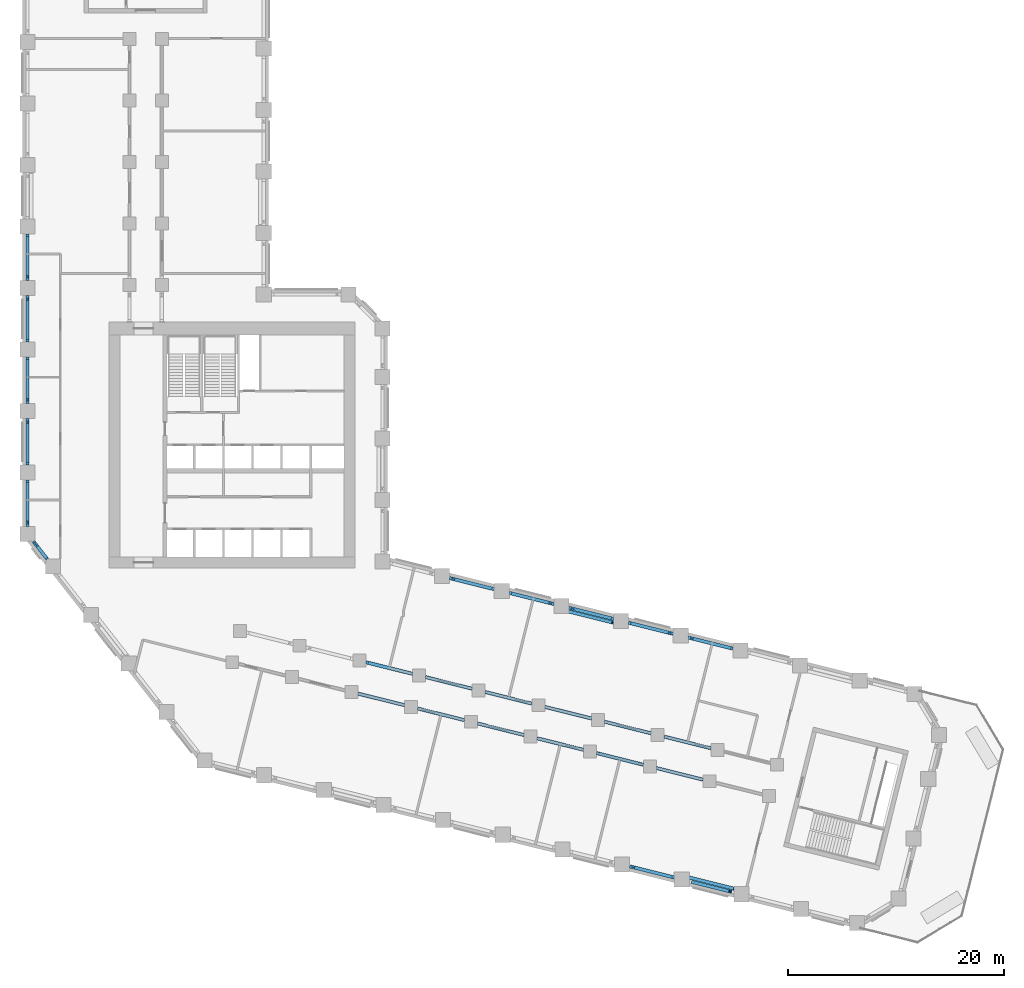
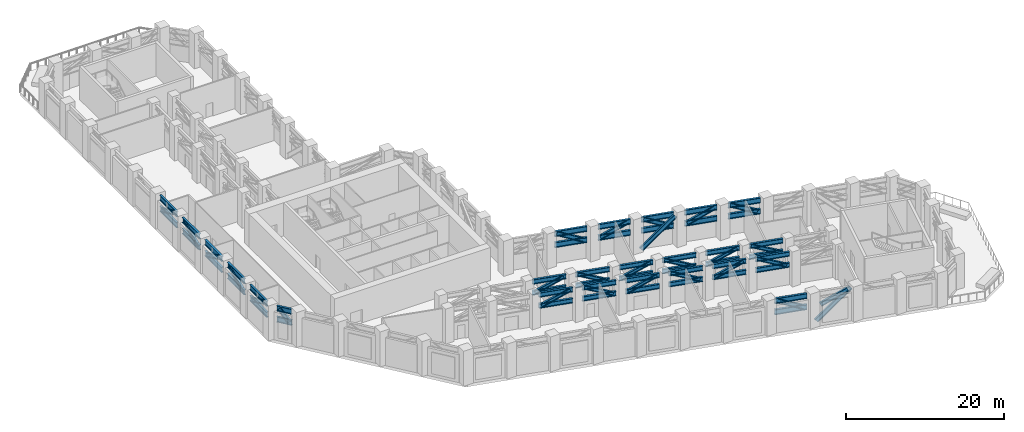
# One storey, part 2 of 14: 48 beams, 27 members.
"""IFC4 building model written with IfcOpenShell, lengths in metres."""

from ifc_helpers import new_model, si_unit, direction, frame, origin, origin_2d, place, context, subcontext, project, spatial, i_section, extrude, material, material_profile, profile_set, type_object, element, save


model = new_model("IFC4")

# Units and contexts
model_context = context("Model", 3, precision=1e-05, world=origin(), true_north=direction((0.0, 1.0)))
body_context = subcontext(model_context, "Body", "Model", "MODEL_VIEW")
ifc_project = project(units=[si_unit("LENGTHUNIT", "METRE"), si_unit("AREAUNIT", "SQUARE_METRE"), si_unit("VOLUMEUNIT", "CUBIC_METRE"), si_unit("PLANEANGLEUNIT", "RADIAN"), si_unit("MASSUNIT", "GRAM", prefix="KILO")], contexts=[model_context])

# Site, building, storey
site_placement = place(None, origin())
site = spatial("IfcSite", under=ifc_project, at=site_placement, CompositionType="ELEMENT")
building_placement = place(site_placement, origin())
building = spatial("IfcBuilding", under=site, at=building_placement, Name="Meshkara Civic Tower", CompositionType="ELEMENT")
storey_placement = place(building_placement, frame((0.0, 0.0, 91.800048828125)))
storey = spatial("IfcBuildingStorey", under=building, at=storey_placement, Name="L20", CompositionType="ELEMENT", Elevation=91.800048828125)

# Beams
ifc_material_1 = material(Name="Steel S355", Category="steel")
ifc_material_profile_1 = material_profile(ifc_material_1, i_section(OverallWidth=0.302978515625, OverallDepth=0.81396484375, WebThickness=0.02099609375, FlangeThickness=0.0400390625, FilletRadius=0.030029296875, at=origin_2d()))
ifc_profile_set_1 = profile_set([ifc_material_profile_1], Name="Steel S355")
beam_type_1 = type_object("IfcBeamType", Name="Belt truss chord HEM 800 S355", PredefinedType="BEAM", material=ifc_profile_set_1)
for number, where, z_axis, x_axis, name in (
    (1, (65.8388671875, 6.618408203125, 4.69287109375), (-0.970307169965, 0.241875992843, 0.0), (-0.241875992843, -0.970307169965, 0.0), "Belt truss chord BBN06-BN05"),
    (2, (65.8388671875, 6.618408203125, 2.992919921875), (-0.970307169965, 0.241875992843, 0.0), (-0.241875992843, -0.970307169965, 0.0), "Belt truss chord BBN06-BN05"),
):
    element("IfcBeam", number, at=place(storey_placement, frame(where, z_axis=z_axis, x_axis=x_axis)), inside=storey, type_object=beam_type_1, Name=name, PredefinedType="BEAM", context=body_context, shape_type="SweptSolid", body=[
        extrude(i_section(OverallWidth=0.302978515625, OverallDepth=0.81396484375, WebThickness=0.02099609375, FlangeThickness=0.0400390625, FilletRadius=0.030029296875, at=origin_2d()), origin(), (0.0, 0.0, 1.0), 4.267578125),
    ])
for number, where, z_axis, x_axis, name in (
    (3, (60.307861328125, 7.997314453125, 4.69287109375), (-0.970276993533, 0.241997016139, 0.0), (-0.241997016139, -0.970276993533, 0.0), "Belt truss chord BBN05-BN04"),
    (4, (60.307861328125, 7.997314453125, 2.992919921875), (-0.970276993533, 0.241997016139, 0.0), (-0.241997016139, -0.970276993533, 0.0), "Belt truss chord BBN05-BN04"),
):
    element("IfcBeam", number, at=place(storey_placement, frame(where, z_axis=z_axis, x_axis=x_axis)), inside=storey, type_object=beam_type_1, Name=name, PredefinedType="BEAM", context=body_context, shape_type="SweptSolid", body=[
        extrude(i_section(OverallWidth=0.302978515625, OverallDepth=0.81396484375, WebThickness=0.02099609375, FlangeThickness=0.0400390625, FilletRadius=0.030029296875, at=origin_2d()), origin(), (0.0, 0.0, 1.0), 4.266357421875),
    ])
for number, where, z_axis, x_axis, name in (
    (5, (54.77783203125, 9.376220703125, 4.69287109375), (-0.970290393622, 0.241943282702, 0.0), (-0.241943282702, -0.970290393622, 0.0), "Belt truss chord BBN04-BN03"),
    (6, (54.77783203125, 9.376220703125, 2.992919921875), (-0.970290393622, 0.241943282702, 0.0), (-0.241943282702, -0.970290393622, 0.0), "Belt truss chord BBN04-BN03"),
    (7, (49.246826171875, 10.75537109375, 4.69287109375), (-0.970303822782, 0.241889419972, 0.0), (-0.241889419972, -0.970303822782, 0.0), "Belt truss chord BBN03-BN02"),
    (8, (49.246826171875, 10.75537109375, 2.992919921875), (-0.970303822782, 0.241889419972, 0.0), (-0.241889419972, -0.970303822782, 0.0), "Belt truss chord BBN03-BN02"),
):
    element("IfcBeam", number, at=place(storey_placement, frame(where, z_axis=z_axis, x_axis=x_axis)), inside=storey, type_object=beam_type_1, Name=name, PredefinedType="BEAM", context=body_context, shape_type="SweptSolid", body=[
        extrude(i_section(OverallWidth=0.302978515625, OverallDepth=0.81396484375, WebThickness=0.02099609375, FlangeThickness=0.0400390625, FilletRadius=0.030029296875, at=origin_2d()), origin(), (0.0, 0.0, 1.0), 4.267333984375),
    ])
for number, where, z_axis, x_axis, name in (
    (9, (43.7158203125, 12.13427734375, 4.69287109375), (-0.970276993533, 0.241997016139, 0.0), (-0.241997016139, -0.970276993533, 0.0), "Belt truss chord BBN02-BN01"),
    (10, (43.7158203125, 12.13427734375, 2.992919921875), (-0.970276993533, 0.241997016139, 0.0), (-0.241997016139, -0.970276993533, 0.0), "Belt truss chord BBN02-BN01"),
):
    element("IfcBeam", number, at=place(storey_placement, frame(where, z_axis=z_axis, x_axis=x_axis)), inside=storey, type_object=beam_type_1, Name=name, PredefinedType="BEAM", context=body_context, shape_type="SweptSolid", body=[
        extrude(i_section(OverallWidth=0.302978515625, OverallDepth=0.81396484375, WebThickness=0.02099609375, FlangeThickness=0.0400390625, FilletRadius=0.030029296875, at=origin_2d()), origin(), (0.0, 0.0, 1.0), 4.266357421875),
    ])
for number, where, z_axis, x_axis, name in (
    (11, (0.449951171875, 45.06005859375, 4.69287109375), (0.0, -1.0, 0.0), (1.0, 0.0, 0.0), "Belt truss chord BAW05-AW04"),
    (12, (0.449951171875, 45.06005859375, 2.992919921875), (0.0, -1.0, 0.0), (1.0, 0.0, 0.0), "Belt truss chord BAW05-AW04"),
    (13, (0.449951171875, 39.360107421875, 4.69287109375), (0.0, -1.0, 0.0), (1.0, 0.0, 0.0), "Belt truss chord BAW04-AW03"),
    (14, (0.449951171875, 39.360107421875, 2.992919921875), (0.0, -1.0, 0.0), (1.0, 0.0, 0.0), "Belt truss chord BAW04-AW03"),
):
    element("IfcBeam", number, at=place(storey_placement, frame(where, z_axis=z_axis, x_axis=x_axis)), inside=storey, type_object=beam_type_1, Name=name, PredefinedType="BEAM", context=body_context, shape_type="SweptSolid", body=[
        extrude(i_section(OverallWidth=0.302978515625, OverallDepth=0.81396484375, WebThickness=0.02099609375, FlangeThickness=0.0400390625, FilletRadius=0.030029296875, at=origin_2d()), origin(), (0.0, 0.0, 1.0), 4.31005859375),
    ])
for number, where, z_axis, x_axis, name in (
    (15, (0.449951171875, 33.659912109375, 4.69287109375), (0.0, -1.0, 0.0), (1.0, 0.0, 0.0), "Belt truss chord BAW03-AW02"),
    (16, (0.449951171875, 33.659912109375, 2.992919921875), (0.0, -1.0, 0.0), (1.0, 0.0, 0.0), "Belt truss chord BAW03-AW02"),
):
    element("IfcBeam", number, at=place(storey_placement, frame(where, z_axis=z_axis, x_axis=x_axis)), inside=storey, type_object=beam_type_1, Name=name, PredefinedType="BEAM", context=body_context, shape_type="SweptSolid", body=[
        extrude(i_section(OverallWidth=0.302978515625, OverallDepth=0.81396484375, WebThickness=0.02099609375, FlangeThickness=0.0400390625, FilletRadius=0.030029296875, at=origin_2d()), origin(), (0.0, 0.0, 1.0), 4.309814453125),
    ])
for number, where, z_axis, x_axis, name in (
    (17, (0.449951171875, 27.9599609375, 4.69287109375), (0.0, -1.0, 0.0), (1.0, 0.0, 0.0), "Belt truss chord BAW02-AW01"),
    (18, (0.449951171875, 27.9599609375, 2.992919921875), (0.0, -1.0, 0.0), (1.0, 0.0, 0.0), "Belt truss chord BAW02-AW01"),
    (19, (0.449951171875, 22.260009765625, 4.69287109375), (0.0, -1.0, 0.0), (1.0, 0.0, 0.0), "Belt truss chord BAW01-AW00"),
    (20, (0.449951171875, 22.260009765625, 2.992919921875), (0.0, -1.0, 0.0), (1.0, 0.0, 0.0), "Belt truss chord BAW01-AW00"),
):
    element("IfcBeam", number, at=place(storey_placement, frame(where, z_axis=z_axis, x_axis=x_axis)), inside=storey, type_object=beam_type_1, Name=name, PredefinedType="BEAM", context=body_context, shape_type="SweptSolid", body=[
        extrude(i_section(OverallWidth=0.302978515625, OverallDepth=0.81396484375, WebThickness=0.02099609375, FlangeThickness=0.0400390625, FilletRadius=0.030029296875, at=origin_2d()), origin(), (0.0, 0.0, 1.0), 4.31005859375),
    ])
for number, where, z_axis, x_axis, name in (
    (21, (0.993896484375, 16.558837890625, 4.69287109375), (0.615634901283, -0.788031514803, 0.0), (0.788031514803, 0.615634901283, 0.0), "Belt truss chord BAW00-BOW04"),
    (22, (0.993896484375, 16.558837890625, 2.992919921875), (0.615634901283, -0.788031514803, 0.0), (0.788031514803, 0.615634901283, 0.0), "Belt truss chord BAW00-BOW04"),
):
    element("IfcBeam", number, at=place(storey_placement, frame(where, z_axis=z_axis, x_axis=x_axis)), inside=storey, type_object=beam_type_1, Name=name, PredefinedType="BEAM", context=body_context, shape_type="SweptSolid", body=[
        extrude(i_section(OverallWidth=0.302978515625, OverallDepth=0.81396484375, WebThickness=0.02099609375, FlangeThickness=0.0400390625, FilletRadius=0.030029296875, at=origin_2d()), origin(), (0.0, 0.0, 1.0), 2.0732421875),
    ])
for number, where, z_axis, x_axis, name in (
    (23, (56.260986328125, -13.563232421875, 4.69287109375), (0.97029374225, -0.241929852955, 0.0), (0.241929852955, 0.97029374225, 0.0), "Belt truss chord BBS07-BS08"),
    (24, (56.260986328125, -13.563232421875, 2.992919921875), (0.97029374225, -0.241929852955, 0.0), (0.241929852955, 0.97029374225, 0.0), "Belt truss chord BBS07-BS08"),
):
    element("IfcBeam", number, at=place(storey_placement, frame(where, z_axis=z_axis, x_axis=x_axis)), inside=storey, type_object=beam_type_1, Name=name, PredefinedType="BEAM", context=body_context, shape_type="SweptSolid", body=[
        extrude(i_section(OverallWidth=0.302978515625, OverallDepth=0.81396484375, WebThickness=0.02099609375, FlangeThickness=0.0400390625, FilletRadius=0.030029296875, at=origin_2d()), origin(), (0.0, 0.0, 1.0), 4.267578125),
    ])
ifc_material_2 = material(Name="Steel S355", Category="steel")
ifc_material_profile_2 = material_profile(ifc_material_2, i_section(OverallWidth=0.303955078125, OverallDepth=0.716064453125, WebThickness=0.02099609375, FlangeThickness=0.0400390625, FilletRadius=0.027099609375, at=origin_2d()))
ifc_profile_set_2 = profile_set([ifc_material_profile_2], Name="Steel S355")
beam_type_2 = type_object("IfcBeamType", Name="Outrigger chord HEM 700 S355", PredefinedType="BEAM", material=ifc_profile_set_2)
for number, where, z_axis, x_axis, name in (
    (25, (31.080078125, 2.45361328125, 4.741943359375), (0.970296390995, -0.241919229543, 0.0), (0.241919229543, 0.970296390995, 0.0), "Outrigger chord OSB1-SB1-02-SB1-03"),
    (26, (31.080078125, 2.45361328125, 3.0419921875), (0.970296390995, -0.241919229543, 0.0), (0.241919229543, 0.970296390995, 0.0), "Outrigger chord OSB1-SB1-02-SB1-03"),
):
    element("IfcBeam", number, at=place(storey_placement, frame(where, z_axis=z_axis, x_axis=x_axis)), inside=storey, type_object=beam_type_2, Name=name, PredefinedType="BEAM", context=body_context, shape_type="SweptSolid", body=[
        extrude(i_section(OverallWidth=0.303955078125, OverallDepth=0.716064453125, WebThickness=0.02099609375, FlangeThickness=0.0400390625, FilletRadius=0.027099609375, at=origin_2d()), origin(), (0.0, 0.0, 1.0), 4.4736328125),
    ])
for number, where, z_axis, x_axis, name in (
    (27, (36.611083984375, 1.07470703125, 4.741943359375), (0.970283611566, -0.241970479865, 0.0), (0.241970479865, 0.970283611566, 0.0), "Outrigger chord OSB1-SB1-03-SB1-04"),
    (28, (36.611083984375, 1.07470703125, 3.0419921875), (0.970283611566, -0.241970479865, 0.0), (0.241970479865, 0.970283611566, 0.0), "Outrigger chord OSB1-SB1-03-SB1-04"),
):
    element("IfcBeam", number, at=place(storey_placement, frame(where, z_axis=z_axis, x_axis=x_axis)), inside=storey, type_object=beam_type_2, Name=name, PredefinedType="BEAM", context=body_context, shape_type="SweptSolid", body=[
        extrude(i_section(OverallWidth=0.303955078125, OverallDepth=0.716064453125, WebThickness=0.02099609375, FlangeThickness=0.0400390625, FilletRadius=0.027099609375, at=origin_2d()), origin(), (0.0, 0.0, 1.0), 4.47265625),
    ])
for number, where, z_axis, x_axis, name in (
    (29, (42.14111328125, -0.304443359375, 4.741943359375), (0.970296390995, -0.241919229543, 0.0), (0.241919229543, 0.970296390995, 0.0), "Outrigger chord OSB1-SB1-04-SB1-05"),
    (30, (42.14111328125, -0.304443359375, 3.0419921875), (0.970296390995, -0.241919229543, 0.0), (0.241919229543, 0.970296390995, 0.0), "Outrigger chord OSB1-SB1-04-SB1-05"),
    (31, (47.672119140625, -1.683349609375, 4.741943359375), (0.970296390995, -0.241919229543, 0.0), (0.241919229543, 0.970296390995, 0.0), "Outrigger chord OSB1-SB1-05-SB1-06"),
    (32, (47.672119140625, -1.683349609375, 3.0419921875), (0.970296390995, -0.241919229543, 0.0), (0.241919229543, 0.970296390995, 0.0), "Outrigger chord OSB1-SB1-05-SB1-06"),
    (33, (53.203125, -3.062255859375, 4.741943359375), (0.970334810126, -0.241765084863, 0.0), (0.241765084863, 0.970334810126, 0.0), "Outrigger chord OSB1-SB1-06-SB1-07"),
    (34, (53.203125, -3.062255859375, 3.0419921875), (0.970334810126, -0.241765084863, 0.0), (0.241765084863, 0.970334810126, 0.0), "Outrigger chord OSB1-SB1-06-SB1-07"),
):
    element("IfcBeam", number, at=place(storey_placement, frame(where, z_axis=z_axis, x_axis=x_axis)), inside=storey, type_object=beam_type_2, Name=name, PredefinedType="BEAM", context=body_context, shape_type="SweptSolid", body=[
        extrude(i_section(OverallWidth=0.303955078125, OverallDepth=0.716064453125, WebThickness=0.02099609375, FlangeThickness=0.0400390625, FilletRadius=0.027099609375, at=origin_2d()), origin(), (0.0, 0.0, 1.0), 4.4736328125),
    ])
for number, where, z_axis, x_axis, name in (
    (35, (58.734130859375, -4.4404296875, 4.741943359375), (0.970283611566, -0.241970479865, 0.0), (0.241970479865, 0.970283611566, 0.0), "Outrigger chord OSB1-SB1-07-SB1-08"),
    (36, (58.734130859375, -4.4404296875, 3.0419921875), (0.970283611566, -0.241970479865, 0.0), (0.241970479865, 0.970283611566, 0.0), "Outrigger chord OSB1-SB1-07-SB1-08"),
):
    element("IfcBeam", number, at=place(storey_placement, frame(where, z_axis=z_axis, x_axis=x_axis)), inside=storey, type_object=beam_type_2, Name=name, PredefinedType="BEAM", context=body_context, shape_type="SweptSolid", body=[
        extrude(i_section(OverallWidth=0.303955078125, OverallDepth=0.716064453125, WebThickness=0.02099609375, FlangeThickness=0.0400390625, FilletRadius=0.027099609375, at=origin_2d()), origin(), (0.0, 0.0, 1.0), 4.47265625),
    ])
for number, where, z_axis, x_axis, name in (
    (37, (31.80615234375, 5.364501953125, 4.741943359375), (0.970309199754, -0.241867850018, 0.0), (0.241867850018, 0.970309199754, 0.0), "Outrigger chord OSB2-SB2-02-SB2-03"),
    (38, (31.80615234375, 5.364501953125, 3.0419921875), (0.970309199754, -0.241867850018, 0.0), (0.241867850018, 0.970309199754, 0.0), "Outrigger chord OSB2-SB2-02-SB2-03"),
):
    element("IfcBeam", number, at=place(storey_placement, frame(where, z_axis=z_axis, x_axis=x_axis)), inside=storey, type_object=beam_type_2, Name=name, PredefinedType="BEAM", context=body_context, shape_type="SweptSolid", body=[
        extrude(i_section(OverallWidth=0.303955078125, OverallDepth=0.716064453125, WebThickness=0.02099609375, FlangeThickness=0.0400390625, FilletRadius=0.027099609375, at=origin_2d()), origin(), (0.0, 0.0, 1.0), 4.4736328125),
    ])
for number, where, z_axis, x_axis, name in (
    (39, (37.337158203125, 3.985595703125, 4.741943359375), (0.970283611566, -0.241970479865, 0.0), (0.241970479865, 0.970283611566, 0.0), "Outrigger chord OSB2-SB2-03-SB2-04"),
    (40, (37.337158203125, 3.985595703125, 3.0419921875), (0.970283611566, -0.241970479865, 0.0), (0.241970479865, 0.970283611566, 0.0), "Outrigger chord OSB2-SB2-03-SB2-04"),
):
    element("IfcBeam", number, at=place(storey_placement, frame(where, z_axis=z_axis, x_axis=x_axis)), inside=storey, type_object=beam_type_2, Name=name, PredefinedType="BEAM", context=body_context, shape_type="SweptSolid", body=[
        extrude(i_section(OverallWidth=0.303955078125, OverallDepth=0.716064453125, WebThickness=0.02099609375, FlangeThickness=0.0400390625, FilletRadius=0.027099609375, at=origin_2d()), origin(), (0.0, 0.0, 1.0), 4.47265625),
    ])
for number, where, z_axis, x_axis, name in (
    (41, (42.8671875, 2.606689453125, 4.741943359375), (0.970296390995, -0.241919229543, 0.0), (0.241919229543, 0.970296390995, 0.0), "Outrigger chord OSB2-SB2-04-SB2-05"),
    (42, (42.8671875, 2.606689453125, 3.0419921875), (0.970296390995, -0.241919229543, 0.0), (0.241919229543, 0.970296390995, 0.0), "Outrigger chord OSB2-SB2-04-SB2-05"),
    (43, (48.398193359375, 1.2275390625, 4.741943359375), (0.970309199754, -0.241867850018, 0.0), (0.241867850018, 0.970309199754, 0.0), "Outrigger chord OSB2-SB2-05-SB2-06"),
    (44, (48.398193359375, 1.2275390625, 3.0419921875), (0.970309199754, -0.241867850018, 0.0), (0.241867850018, 0.970309199754, 0.0), "Outrigger chord OSB2-SB2-05-SB2-06"),
):
    element("IfcBeam", number, at=place(storey_placement, frame(where, z_axis=z_axis, x_axis=x_axis)), inside=storey, type_object=beam_type_2, Name=name, PredefinedType="BEAM", context=body_context, shape_type="SweptSolid", body=[
        extrude(i_section(OverallWidth=0.303955078125, OverallDepth=0.716064453125, WebThickness=0.02099609375, FlangeThickness=0.0400390625, FilletRadius=0.027099609375, at=origin_2d()), origin(), (0.0, 0.0, 1.0), 4.4736328125),
    ])
for number, where, z_axis, x_axis, name in (
    (45, (53.92919921875, -0.1513671875, 4.741943359375), (0.97028041544, -0.241983295733, 0.0), (0.241983295733, 0.97028041544, 0.0), "Outrigger chord OSB2-SB2-06-SB2-07"),
    (46, (53.92919921875, -0.1513671875, 3.0419921875), (0.97028041544, -0.241983295733, 0.0), (0.241983295733, 0.97028041544, 0.0), "Outrigger chord OSB2-SB2-06-SB2-07"),
):
    element("IfcBeam", number, at=place(storey_placement, frame(where, z_axis=z_axis, x_axis=x_axis)), inside=storey, type_object=beam_type_2, Name=name, PredefinedType="BEAM", context=body_context, shape_type="SweptSolid", body=[
        extrude(i_section(OverallWidth=0.303955078125, OverallDepth=0.716064453125, WebThickness=0.02099609375, FlangeThickness=0.0400390625, FilletRadius=0.027099609375, at=origin_2d()), origin(), (0.0, 0.0, 1.0), 4.472412109375),
    ])
for number, where, z_axis, x_axis, name in (
    (47, (59.458984375, -1.530517578125, 4.741943359375), (0.970309199754, -0.241867850018, 0.0), (0.241867850018, 0.970309199754, 0.0), "Outrigger chord OSB2-SB2-07-SB2-08"),
    (48, (59.458984375, -1.530517578125, 3.0419921875), (0.970309199754, -0.241867850018, 0.0), (0.241867850018, 0.970309199754, 0.0), "Outrigger chord OSB2-SB2-07-SB2-08"),
):
    element("IfcBeam", number, at=place(storey_placement, frame(where, z_axis=z_axis, x_axis=x_axis)), inside=storey, type_object=beam_type_2, Name=name, PredefinedType="BEAM", context=body_context, shape_type="SweptSolid", body=[
        extrude(i_section(OverallWidth=0.303955078125, OverallDepth=0.716064453125, WebThickness=0.02099609375, FlangeThickness=0.0400390625, FilletRadius=0.027099609375, at=origin_2d()), origin(), (0.0, 0.0, 1.0), 4.4736328125),
    ])

# Members
ifc_material_3 = material(Name="Steel S355", Category="steel")
ifc_material_profile_3 = material_profile(ifc_material_3, i_section(OverallWidth=0.305908203125, OverallDepth=0.52392578125, WebThickness=0.02392578125, FlangeThickness=0.0400390625, FilletRadius=0.027099609375, at=origin_2d()))
ifc_profile_set_3 = profile_set([ifc_material_profile_3], Name="Steel S355")
member_type_1 = type_object("IfcMemberType", Name="Truss diagonal HEM 500 S355", PredefinedType="BRACE", material=ifc_profile_set_3)
member_1_placement = place(storey_placement, frame((31.419921875, 2.368896484375, 3.0419921875), z_axis=(0.884669456815, -0.220562719146, 0.410745710996), x_axis=(0.241911414998, 0.970298339323, 0.0)))
element("IfcMember", 49, at=member_1_placement, inside=storey, type_object=member_type_1, Name="TD-OSB1-SB1-02-SB1-03-L20", PredefinedType="BRACE", context=body_context, shape_type="SweptSolid", body=[
    extrude(i_section(OverallWidth=0.305908203125, OverallDepth=0.52392578125, WebThickness=0.02392578125, FlangeThickness=0.0400390625, FilletRadius=0.027099609375, at=origin_2d()), origin(), (0.0, 0.0, 1.0), 4.138671875),
])
member_2_placement = place(storey_placement, frame((36.95068359375, 0.989990234375, 4.741943359375), z_axis=(0.884630981745, -0.220597254952, -0.410810025736), x_axis=(0.241956983323, 0.97028697725, 0.0)))
element("IfcMember", 50, at=member_2_placement, inside=storey, type_object=member_type_1, Name="TD-OSB1-SB1-03-SB1-04-L20", PredefinedType="BRACE", context=body_context, shape_type="SweptSolid", body=[
    extrude(i_section(OverallWidth=0.305908203125, OverallDepth=0.52392578125, WebThickness=0.02392578125, FlangeThickness=0.0400390625, FilletRadius=0.027099609375, at=origin_2d()), origin(), (0.0, 0.0, 1.0), 4.137939453125),
])
for number, where, z_axis, x_axis, name in (
    (51, (42.480712890625, -0.38916015625, 3.0419921875), (0.884669456815, -0.220562719146, 0.410745710996), (0.241911414998, 0.970298339323, 0.0), "TD-OSB1-SB1-04-SB1-05-L20"),
    (52, (48.01171875, -1.76806640625, 4.741943359375), (0.884669456815, -0.220562719146, -0.410745710996), (0.241911414998, 0.970298339323, 0.0), "TD-OSB1-SB1-05-SB1-06-L20"),
):
    element("IfcMember", number, at=place(storey_placement, frame(where, z_axis=z_axis, x_axis=x_axis)), inside=storey, type_object=member_type_1, Name=name, PredefinedType="BRACE", context=body_context, shape_type="SweptSolid", body=[
        extrude(i_section(OverallWidth=0.305908203125, OverallDepth=0.52392578125, WebThickness=0.02392578125, FlangeThickness=0.0400390625, FilletRadius=0.027099609375, at=origin_2d()), origin(), (0.0, 0.0, 1.0), 4.138671875),
    ])
member_3_placement = place(storey_placement, frame((53.542724609375, -3.14697265625, 3.0419921875), z_axis=(0.884703976132, -0.220394349192, 0.410761738068), x_axis=(0.241728662506, 0.970343884261, 0.0)))
element("IfcMember", 53, at=member_3_placement, inside=storey, type_object=member_type_1, Name="TD-OSB1-SB1-06-SB1-07-L20", PredefinedType="BRACE", context=body_context, shape_type="SweptSolid", body=[
    extrude(i_section(OverallWidth=0.305908203125, OverallDepth=0.52392578125, WebThickness=0.02392578125, FlangeThickness=0.0400390625, FilletRadius=0.027099609375, at=origin_2d()), origin(), (0.0, 0.0, 1.0), 4.138427734375),
])
member_4_placement = place(storey_placement, frame((59.07373046875, -4.525146484375, 4.741943359375), z_axis=(0.884630981745, -0.220597254952, -0.410810025736), x_axis=(0.241956983323, 0.97028697725, 0.0)))
element("IfcMember", 54, at=member_4_placement, inside=storey, type_object=member_type_1, Name="TD-OSB1-SB1-07-SB1-08-L20", PredefinedType="BRACE", context=body_context, shape_type="SweptSolid", body=[
    extrude(i_section(OverallWidth=0.305908203125, OverallDepth=0.52392578125, WebThickness=0.02392578125, FlangeThickness=0.0400390625, FilletRadius=0.027099609375, at=origin_2d()), origin(), (0.0, 0.0, 1.0), 4.137939453125),
])
member_5_placement = place(storey_placement, frame((32.145751953125, 5.27978515625, 3.0419921875), z_axis=(0.884680965884, -0.220506598018, 0.410751054574), x_axis=(0.24185050036, 0.970313524319, 0.0)))
element("IfcMember", 55, at=member_5_placement, inside=storey, type_object=member_type_1, Name="TD-OSB2-SB2-02-SB2-03-L20", PredefinedType="BRACE", context=body_context, shape_type="SweptSolid", body=[
    extrude(i_section(OverallWidth=0.305908203125, OverallDepth=0.52392578125, WebThickness=0.02392578125, FlangeThickness=0.0400390625, FilletRadius=0.027099609375, at=origin_2d()), origin(), (0.0, 0.0, 1.0), 4.138671875),
])
member_6_placement = place(storey_placement, frame((37.6767578125, 3.90087890625, 4.741943359375), z_axis=(0.884630981745, -0.220597254952, -0.410810025736), x_axis=(0.241956983323, 0.97028697725, 0.0)))
element("IfcMember", 56, at=member_6_placement, inside=storey, type_object=member_type_1, Name="TD-OSB2-SB2-03-SB2-04-L20", PredefinedType="BRACE", context=body_context, shape_type="SweptSolid", body=[
    extrude(i_section(OverallWidth=0.305908203125, OverallDepth=0.52392578125, WebThickness=0.02392578125, FlangeThickness=0.0400390625, FilletRadius=0.027099609375, at=origin_2d()), origin(), (0.0, 0.0, 1.0), 4.137939453125),
])
for number, where, z_axis, x_axis, name in (
    (57, (43.206787109375, 2.52197265625, 3.0419921875), (0.884669456815, -0.220562719146, 0.410745710996), (0.241911414998, 0.970298339323, 0.0), "TD-OSB2-SB2-04-SB2-05-L20"),
    (58, (48.73779296875, 1.142822265625, 4.741943359375), (0.884669456815, -0.220562719146, -0.410745710996), (0.241911414998, 0.970298339323, 0.0), "TD-OSB2-SB2-05-SB2-06-L20"),
):
    element("IfcMember", number, at=place(storey_placement, frame(where, z_axis=z_axis, x_axis=x_axis)), inside=storey, type_object=member_type_1, Name=name, PredefinedType="BRACE", context=body_context, shape_type="SweptSolid", body=[
        extrude(i_section(OverallWidth=0.305908203125, OverallDepth=0.52392578125, WebThickness=0.02392578125, FlangeThickness=0.0400390625, FilletRadius=0.027099609375, at=origin_2d()), origin(), (0.0, 0.0, 1.0), 4.138671875),
    ])
member_7_placement = place(storey_placement, frame((54.268798828125, -0.236083984375, 3.0419921875), z_axis=(0.884618152705, -0.220608768956, 0.410831467837), x_axis=(0.241972176461, 0.970283188466, 0.0)))
element("IfcMember", 59, at=member_7_placement, inside=storey, type_object=member_type_1, Name="TD-OSB2-SB2-06-SB2-07-L20", PredefinedType="BRACE", context=body_context, shape_type="SweptSolid", body=[
    extrude(i_section(OverallWidth=0.305908203125, OverallDepth=0.52392578125, WebThickness=0.02392578125, FlangeThickness=0.0400390625, FilletRadius=0.027099609375, at=origin_2d()), origin(), (0.0, 0.0, 1.0), 4.137939453125),
])
member_8_placement = place(storey_placement, frame((59.798828125, -1.614990234375, 4.741943359375), z_axis=(0.884669456815, -0.220562719146, -0.410745710996), x_axis=(0.241911414998, 0.970298339323, 0.0)))
element("IfcMember", 60, at=member_8_placement, inside=storey, type_object=member_type_1, Name="TD-OSB2-SB2-07-SB2-08-L20", PredefinedType="BRACE", context=body_context, shape_type="SweptSolid", body=[
    extrude(i_section(OverallWidth=0.305908203125, OverallDepth=0.52392578125, WebThickness=0.02392578125, FlangeThickness=0.0400390625, FilletRadius=0.027099609375, at=origin_2d()), origin(), (0.0, 0.0, 1.0), 4.138671875),
])
ifc_material_4 = material(Name="Steel S355", Category="steel")
ifc_material_profile_4 = material_profile(ifc_material_4, i_section(OverallWidth=0.304931640625, OverallDepth=0.6201171875, WebThickness=0.02099609375, FlangeThickness=0.0400390625, FilletRadius=0.027099609375, at=origin_2d()))
ifc_profile_set_4 = profile_set([ifc_material_profile_4], Name="Steel S355")
member_type_2 = type_object("IfcMemberType", Name="Truss diagonal HEM 600 S355", PredefinedType="BRACE", material=ifc_profile_set_4)
member_9_placement = place(storey_placement, frame((65.499267578125, 6.702880859375, 2.992919921875), z_axis=(-0.875927658641, 0.218394997411, 0.430179453175), x_axis=(-0.241923672338, -0.970295283284, 0.0)))
element("IfcMember", 61, at=member_9_placement, inside=storey, type_object=member_type_2, Name="TD-BBN06-BN05-L20", PredefinedType="BRACE", context=body_context, shape_type="SweptSolid", body=[
    extrude(i_section(OverallWidth=0.304931640625, OverallDepth=0.6201171875, WebThickness=0.02099609375, FlangeThickness=0.0400390625, FilletRadius=0.027099609375, at=origin_2d()), origin(), (0.0, 0.0, 1.0), 3.95166015625),
])
member_10_placement = place(storey_placement, frame((59.96826171875, 8.08203125, 4.69287109375), z_axis=(-0.875870121888, 0.218442280293, -0.430272587745), x_axis=(-0.241987947475, -0.970279255306, 0.0)))
element("IfcMember", 62, at=member_10_placement, inside=storey, type_object=member_type_2, Name="TD-BBN05-BN04-L20", PredefinedType="BRACE", context=body_context, shape_type="SweptSolid", body=[
    extrude(i_section(OverallWidth=0.304931640625, OverallDepth=0.6201171875, WebThickness=0.02099609375, FlangeThickness=0.0400390625, FilletRadius=0.027099609375, at=origin_2d()), origin(), (0.0, 0.0, 1.0), 3.950927734375),
])
for number, where, z_axis, x_axis, name in (
    (63, (54.438232421875, 9.4609375, 2.992919921875), (-0.875927658641, 0.218394997411, 0.430179453175), (-0.241923672338, -0.970295283284, 0.0), "TD-BBN04-BN03-L20"),
    (64, (48.9072265625, 10.840087890625, 4.69287109375), (-0.875939475758, 0.218336162176, -0.430185256715), (-0.241859239454, -0.970311346059, 0.0), "TD-BBN03-BN02-L20"),
):
    element("IfcMember", number, at=place(storey_placement, frame(where, z_axis=z_axis, x_axis=x_axis)), inside=storey, type_object=member_type_2, Name=name, PredefinedType="BRACE", context=body_context, shape_type="SweptSolid", body=[
        extrude(i_section(OverallWidth=0.304931640625, OverallDepth=0.6201171875, WebThickness=0.02099609375, FlangeThickness=0.0400390625, FilletRadius=0.027099609375, at=origin_2d()), origin(), (0.0, 0.0, 1.0), 3.95166015625),
    ])
member_11_placement = place(storey_placement, frame((43.376220703125, 12.218994140625, 2.992919921875), z_axis=(-0.875870121888, 0.218442280293, 0.430272587745), x_axis=(-0.241987947475, -0.970279255306, 0.0)))
element("IfcMember", 65, at=member_11_placement, inside=storey, type_object=member_type_2, Name="TD-BBN02-BN01-L20", PredefinedType="BRACE", context=body_context, shape_type="SweptSolid", body=[
    extrude(i_section(OverallWidth=0.304931640625, OverallDepth=0.6201171875, WebThickness=0.02099609375, FlangeThickness=0.0400390625, FilletRadius=0.027099609375, at=origin_2d()), origin(), (0.0, 0.0, 1.0), 3.950927734375),
])
member_12_placement = place(storey_placement, frame((0.449951171875, 44.7099609375, 2.992919921875), z_axis=(0.0, -0.904703576129, 0.426041593439), x_axis=(1.0, 0.0, 0.0)))
element("IfcMember", 66, at=member_12_placement, inside=storey, type_object=member_type_2, Name="TD-BAW05-AW04-L20", PredefinedType="BRACE", context=body_context, shape_type="SweptSolid", body=[
    extrude(i_section(OverallWidth=0.304931640625, OverallDepth=0.6201171875, WebThickness=0.02099609375, FlangeThickness=0.0400390625, FilletRadius=0.027099609375, at=origin_2d()), origin(), (0.0, 0.0, 1.0), 3.989990234375),
])
for number, where, z_axis, x_axis, name in (
    (67, (0.449951171875, 39.010009765625, 4.69287109375), (0.0, -0.904714681256, -0.426018010792), (1.0, 0.0, 0.0), "TD-BAW04-AW03-L20"),
    (68, (0.449951171875, 33.31005859375, 2.992919921875), (0.0, -0.904714681256, 0.426018010792), (1.0, 0.0, 0.0), "TD-BAW03-AW02-L20"),
    (69, (0.449951171875, 27.610107421875, 4.69287109375), (0.0, -0.904714681256, -0.426018010792), (1.0, 0.0, 0.0), "TD-BAW02-AW01-L20"),
):
    element("IfcMember", number, at=place(storey_placement, frame(where, z_axis=z_axis, x_axis=x_axis)), inside=storey, type_object=member_type_2, Name=name, PredefinedType="BRACE", context=body_context, shape_type="SweptSolid", body=[
        extrude(i_section(OverallWidth=0.304931640625, OverallDepth=0.6201171875, WebThickness=0.02099609375, FlangeThickness=0.0400390625, FilletRadius=0.027099609375, at=origin_2d()), origin(), (0.0, 0.0, 1.0), 3.990234375),
    ])
member_13_placement = place(storey_placement, frame((0.449951171875, 21.909912109375, 2.992919921875), z_axis=(0.0, -0.904703576129, 0.426041593439), x_axis=(1.0, 0.0, 0.0)))
element("IfcMember", 70, at=member_13_placement, inside=storey, type_object=member_type_2, Name="TD-BAW01-AW00-L20", PredefinedType="BRACE", context=body_context, shape_type="SweptSolid", body=[
    extrude(i_section(OverallWidth=0.304931640625, OverallDepth=0.6201171875, WebThickness=0.02099609375, FlangeThickness=0.0400390625, FilletRadius=0.027099609375, at=origin_2d()), origin(), (0.0, 0.0, 1.0), 3.989990234375),
])
member_14_placement = place(storey_placement, frame((1.209228515625, 16.283203125, 4.69287109375), z_axis=(0.386867667434, -0.495230831573, -0.77786877515), x_axis=(0.788048628999, 0.61561299396, 0.0)))
element("IfcMember", 71, at=member_14_placement, inside=storey, type_object=member_type_2, Name="TD-BAW00-BOW04-L20", PredefinedType="BRACE", context=body_context, shape_type="SweptSolid", body=[
    extrude(i_section(OverallWidth=0.304931640625, OverallDepth=0.6201171875, WebThickness=0.02099609375, FlangeThickness=0.0400390625, FilletRadius=0.027099609375, at=origin_2d()), origin(), (0.0, 0.0, 1.0), 2.185302734375),
])
member_15_placement = place(storey_placement, frame((56.600830078125, -13.64794921875, 4.69287109375), z_axis=(0.875927658641, -0.218394997411, -0.430179453175), x_axis=(0.241923672338, 0.970295283284, 0.0)))
element("IfcMember", 72, at=member_15_placement, inside=storey, type_object=member_type_2, Name="TD-BBS07-BS08-L20", PredefinedType="BRACE", context=body_context, shape_type="SweptSolid", body=[
    extrude(i_section(OverallWidth=0.304931640625, OverallDepth=0.6201171875, WebThickness=0.02099609375, FlangeThickness=0.0400390625, FilletRadius=0.027099609375, at=origin_2d()), origin(), (0.0, 0.0, 1.0), 3.95166015625),
])
member_16_placement = place(storey_placement, frame((62.131591796875, -15.027099609375, 2.992919921875), z_axis=(0.875896329952, -0.218371614113, 0.430255107263), x_axis=(0.241907431462, 0.970299332476, 0.0)))
element("IfcMember", 73, at=member_16_placement, inside=storey, type_object=member_type_2, Name="TD-BBS08-BS09-L20", PredefinedType="BRACE", context=body_context, shape_type="SweptSolid", body=[
    extrude(i_section(OverallWidth=0.304931640625, OverallDepth=0.6201171875, WebThickness=0.02099609375, FlangeThickness=0.0400390625, FilletRadius=0.027099609375, at=origin_2d()), origin(), (0.0, 0.0, 1.0), 3.950927734375),
])
member_17_placement = place(storey_placement, frame((54.81689453125, 9.01611328125, 4.64990234375), z_axis=(-0.702060125245, 0.175064339593, -0.690263759402), x_axis=(-0.241949338135, -0.970288883671, 0.0)))
element("IfcMember", 74, at=member_17_placement, inside=storey, type_object=member_type_2, Name="TD-XBN04-BN03-L20", PredefinedType="BRACE", context=body_context, shape_type="SweptSolid", body=[
    extrude(i_section(OverallWidth=0.304931640625, OverallDepth=0.6201171875, WebThickness=0.02099609375, FlangeThickness=0.0400390625, FilletRadius=0.027099609375, at=origin_2d()), origin(), (0.0, 0.0, 1.0), 6.2294921875),
])
member_18_placement = place(storey_placement, frame((61.753173828125, -14.582275390625, 0.349853515625), z_axis=(0.701985432894, -0.175045613808, 0.690344468429), x_axis=(0.241949207165, 0.97028891633, 0.0)))
element("IfcMember", 75, at=member_18_placement, inside=storey, type_object=member_type_2, Name="TD-XBS08-BS09-L20", PredefinedType="BRACE", context=body_context, shape_type="SweptSolid", body=[
    extrude(i_section(OverallWidth=0.304931640625, OverallDepth=0.6201171875, WebThickness=0.02099609375, FlangeThickness=0.0400390625, FilletRadius=0.027099609375, at=origin_2d()), origin(), (0.0, 0.0, 1.0), 6.228759765625),
])

save(model, "model.ifc")
